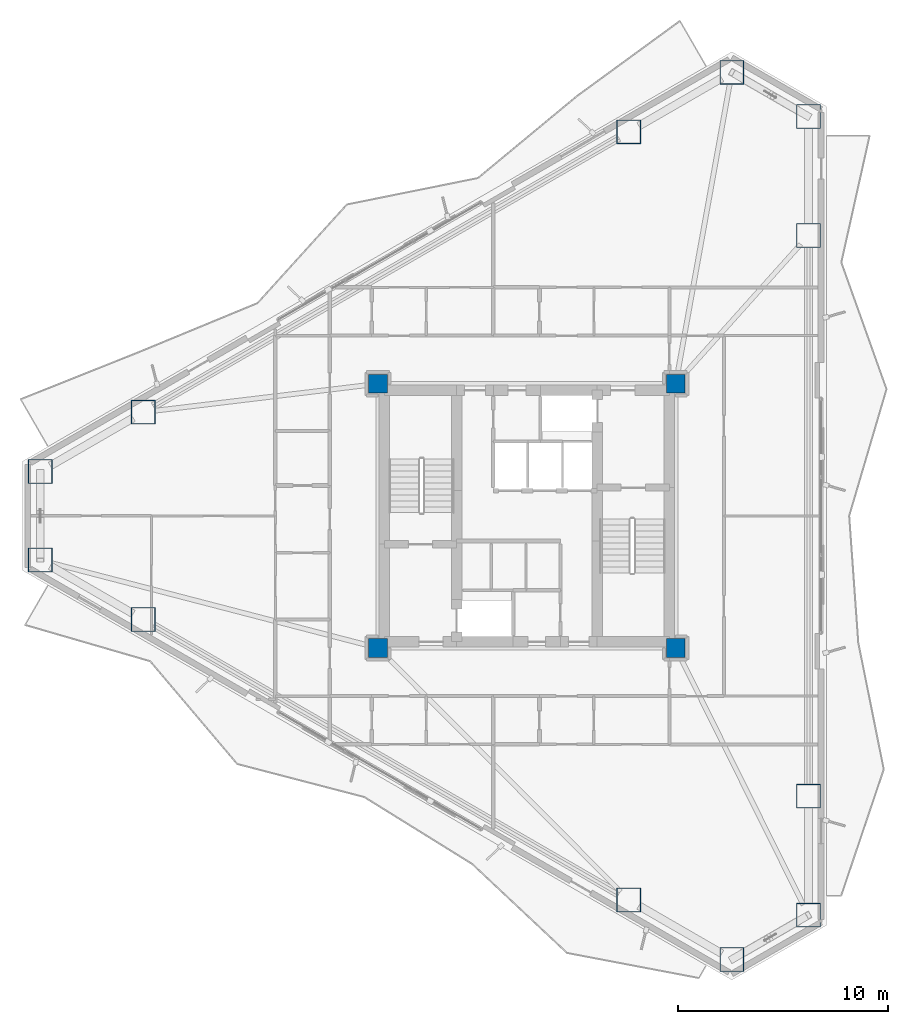
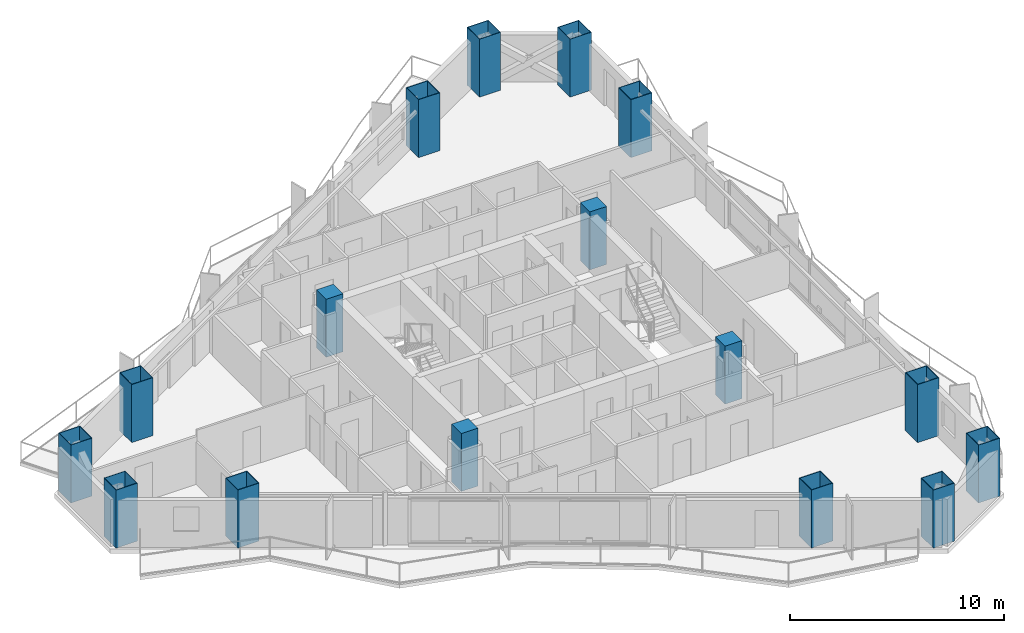
# One storey, part 1 of 23: 16 columns.
"""IFC4 building model written with IfcOpenShell, lengths in metres."""

from ifc_helpers import new_model, si_unit, direction, frame, origin, origin_2d, place, context, subcontext, project, spatial, rectangle, hollow_rectangle, extrude, material, material_profile, profile_set, type_object, element, save


model = new_model("IFC4")

# Units and contexts
model_context = context("Model", 3, precision=1e-05, world=origin(), true_north=direction((0.0, 1.0)))
body_context = subcontext(model_context, "Body", "Model", "MODEL_VIEW")
ifc_project = project(units=[si_unit("LENGTHUNIT", "METRE"), si_unit("AREAUNIT", "SQUARE_METRE"), si_unit("VOLUMEUNIT", "CUBIC_METRE"), si_unit("PLANEANGLEUNIT", "RADIAN"), si_unit("MASSUNIT", "GRAM", prefix="KILO")], contexts=[model_context])

# Site, building, storey
site_placement = place(None, origin())
site = spatial("IfcSite", under=ifc_project, at=site_placement, CompositionType="ELEMENT")
building_placement = place(site_placement, origin())
building = spatial("IfcBuilding", under=site, at=building_placement, Name="Mersakhor Tower and Convention Hall", CompositionType="ELEMENT")
storey_placement = place(building_placement, frame((0.0, 0.0, 93.300048828125)))
storey = spatial("IfcBuildingStorey", under=building, at=storey_placement, Name="L25", CompositionType="ELEMENT", Elevation=93.300048828125)

# Columns
ifc_material_1 = material(Name="Concrete C60/75 in S460M steel box", Category="concrete")
ifc_material_profile_1 = material_profile(ifc_material_1, hollow_rectangle(XDim=1.14990234375, YDim=1.14990234375, WallThickness=0.031982421875, at=origin_2d()), Name="SHS 1150x1150x32")
ifc_profile_set_1 = profile_set([ifc_material_profile_1], Name="Concrete C60/75 in S460M steel box")
column_type_1 = type_object("IfcColumnType", Name="COL-CFT-1150", PredefinedType="COLUMN", material=ifc_profile_set_1)
for number, where, z_axis, x_axis, name in (
    (1, (5.78662109375, 28.86083984375, 0.0), (0.0, 0.0, 1.0), (1.0, 0.0, 0.0), "L25 Perimeter Mega-Column MC-01"),
    (2, (10.702392578125, 31.698974609375, 0.0), (0.0, 0.0, 1.0), (1.0, 0.0, 0.0), "L25 Perimeter Mega-Column MC-02"),
    (3, (33.86279296875, 45.070556640625, 0.0), (0.0, 0.0, 1.0), (1.0, 0.0, 0.0), "L25 Perimeter Mega-Column MC-03"),
    (4, (38.77880859375, 47.90869140625, 0.0), (0.0, 0.0, 1.0), (1.0, 0.0, 0.0), "L25 Perimeter Mega-Column MC-04"),
    (5, (42.4345703125, 45.798095703125, 0.0), (0.0, 0.0, 1.0), (1.0, 0.0, 0.0), "L25 Perimeter Mega-Column MC-05"),
    (6, (42.4345703125, 40.12158203125, 0.0), (0.0, 0.0, 1.0), (1.0, 0.0, 0.0), "L25 Perimeter Mega-Column MC-06"),
    (7, (42.4345703125, 13.37841796875, 0.0), (0.0, 0.0, 1.0), (1.0, 0.0, 0.0), "L25 Perimeter Mega-Column MC-07"),
    (8, (42.4345703125, 7.701904296875, 0.0), (0.0, 0.0, 1.0), (1.0, 0.0, 0.0), "L25 Perimeter Mega-Column MC-08"),
    (9, (38.77880859375, 5.59130859375, 0.0), (0.0, 0.0, 1.0), (1.0, 0.0, 0.0), "L25 Perimeter Mega-Column MC-09"),
    (10, (33.86279296875, 8.429443359375, 0.0), (0.0, 0.0, 1.0), (1.0, 0.0, 0.0), "L25 Perimeter Mega-Column MC-10"),
    (11, (10.702392578125, 21.801025390625, 0.0), (0.0, 0.0, 1.0), (1.0, 0.0, 0.0), "L25 Perimeter Mega-Column MC-11"),
    (12, (5.78662109375, 24.63916015625, 0.0), (0.0, 0.0, 1.0), (1.0, 0.0, 0.0), "L25 Perimeter Mega-Column MC-12"),
):
    element("IfcColumn", number, at=place(storey_placement, frame(where, z_axis=z_axis, x_axis=x_axis)), inside=storey, type_object=column_type_1, Name=name, PredefinedType="COLUMN", context=body_context, shape_type="SweptSolid", body=[
        extrude(hollow_rectangle(XDim=1.14990234375, YDim=1.14990234375, WallThickness=0.031982421875, at=origin_2d()), origin(), (0.0, 0.0, 1.0), 3.300048828125),
    ])
ifc_material_2 = material(Name="Concrete C60/75", Category="concrete")
ifc_material_profile_2 = material_profile(ifc_material_2, rectangle(XDim=0.89990234375, YDim=0.89990234375, at=origin_2d()), Name="RC 900x900")
ifc_profile_set_2 = profile_set([ifc_material_profile_2], Name="Concrete C60/75")
column_type_2 = type_object("IfcColumnType", Name="COL-RC-900", PredefinedType="COLUMN", material=ifc_profile_set_2)
for number, where, z_axis, x_axis, name in (
    (13, (21.89990234375, 20.449951171875, 0.0), (0.0, 0.0, 1.0), (1.0, 0.0, 0.0), "L25 Core Corner Column CC-1"),
    (14, (21.89990234375, 33.050048828125, 0.0), (0.0, 0.0, 1.0), (1.0, 0.0, 0.0), "L25 Core Corner Column CC-2"),
    (15, (36.10009765625, 33.050048828125, 0.0), (0.0, 0.0, 1.0), (1.0, 0.0, 0.0), "L25 Core Corner Column CC-3"),
    (16, (36.10009765625, 20.449951171875, 0.0), (0.0, 0.0, 1.0), (1.0, 0.0, 0.0), "L25 Core Corner Column CC-4"),
):
    element("IfcColumn", number, at=place(storey_placement, frame(where, z_axis=z_axis, x_axis=x_axis)), inside=storey, type_object=column_type_2, Name=name, PredefinedType="COLUMN", context=body_context, shape_type="SweptSolid", body=[
        extrude(rectangle(XDim=0.89990234375, YDim=0.89990234375, at=origin_2d()), origin(), (0.0, 0.0, 1.0), 3.300048828125),
    ])

save(model, "model.ifc")
